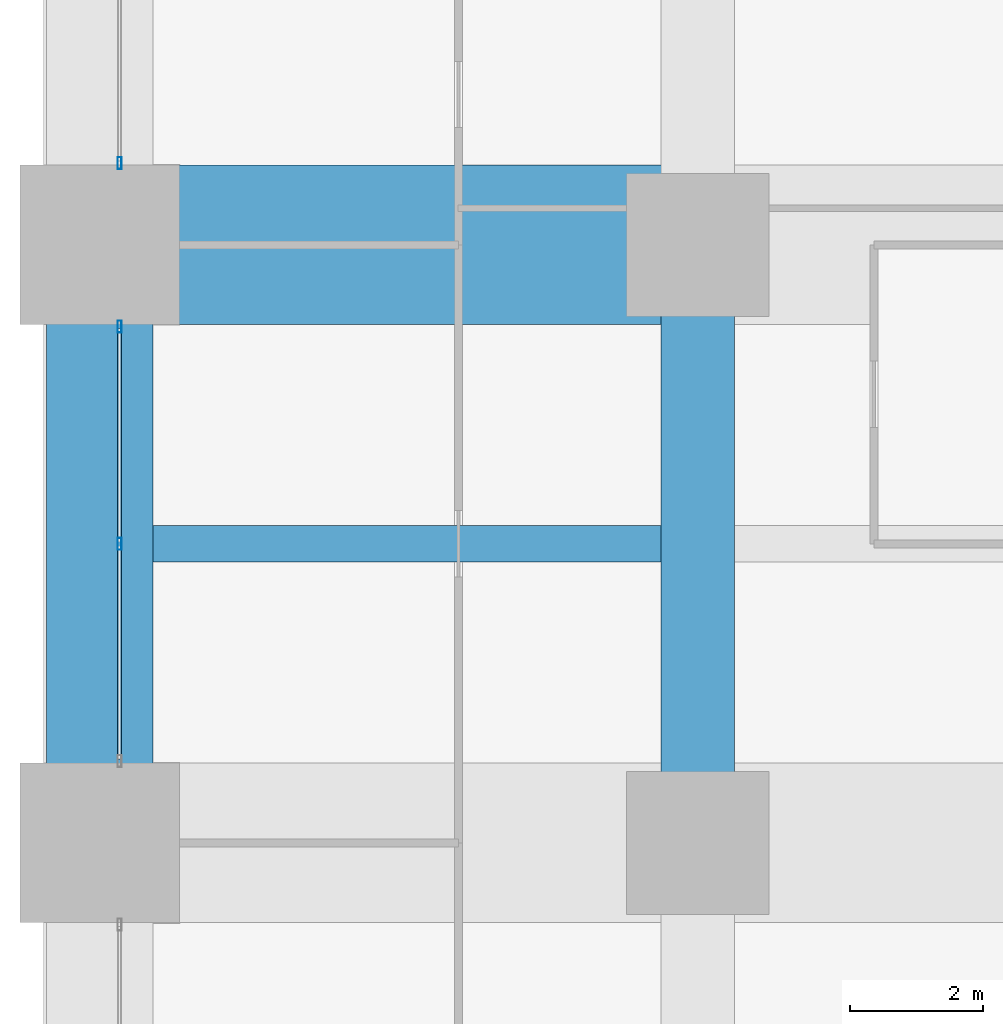
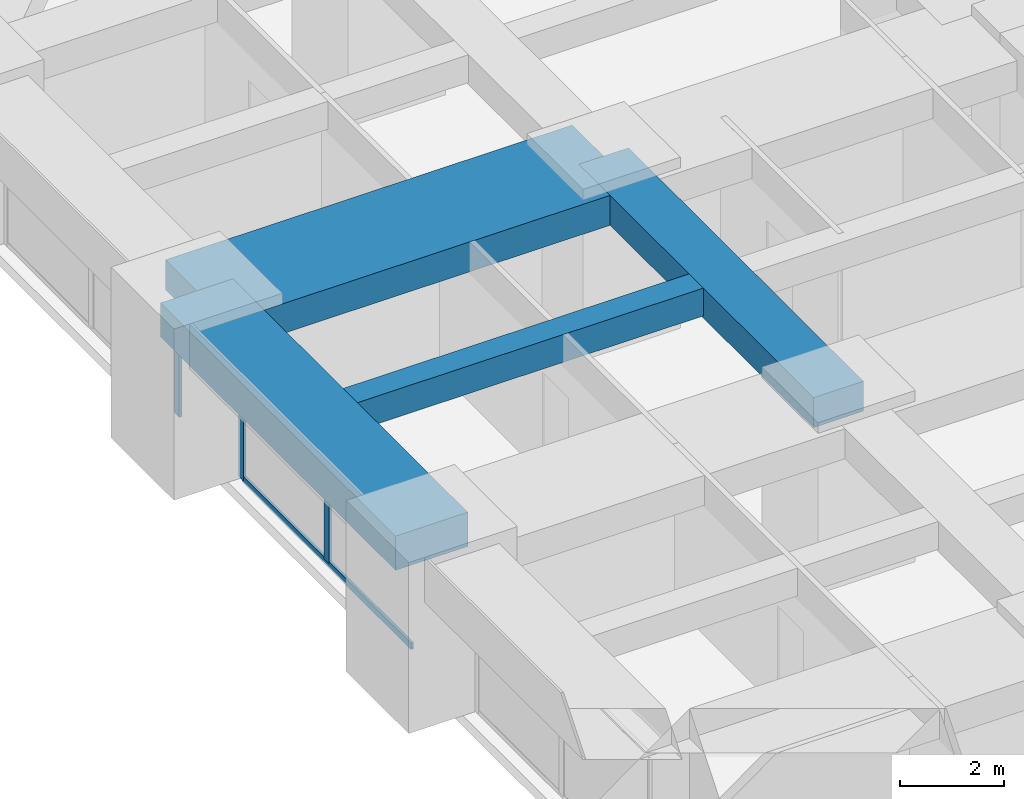
# One storey, part 23 of 45: 4 beams, 4 members, 2 elements without a shape of their own.
"""IFC4 building model written with IfcOpenShell, lengths in metres."""

import ifcopenshell
import ifcopenshell.guid

model = None  # the IFC model being written
_history = None  # IfcOwnerHistory: only IFC2X3 demands one
_inside = {}  # id of a spatial element -> (the spatial element, [elements in it])
_under = {}  # id of a project, library or spatial element -> (it, [spatial elements below it])
_declared = {}  # id of a project -> (the project, [libraries it declares])
_typed = {}  # id of a type object -> (the type object, [elements of that type])
_made_of = {}  # id of a material, layer set ... -> (it, [elements and type objects made of it])


def new_model(schema):
    """Start an empty IFC model of exactly this schema.

    Asked for "IFC4X3", IfcOpenShell would pick the latest addendum, in which some entities
    have other attributes; the version numbers below select the first issue.
    IFC2X3 requires an IfcOwnerHistory on every rooted entity: one is made here for all.
    """
    global model, _history
    if schema == "IFC4X3":
        model = ifcopenshell.file(schema_version=(4, 3, 0, 0))
    else:
        model = ifcopenshell.file(schema=schema)
    _inside.clear()
    _under.clear()
    _declared.clear()
    _typed.clear()
    _made_of.clear()
    _history = None
    if model.schema == "IFC2X3":
        org = make("IfcOrganization", Name="unknown")
        user = make(
            "IfcPersonAndOrganization",
            ThePerson=make("IfcPerson", FamilyName="unknown"),
            TheOrganization=org,
        )
        app = make(
            "IfcApplication",
            ApplicationDeveloper=org,
            Version="unknown",
            ApplicationFullName="unknown",
            ApplicationIdentifier="unknown",
        )
        _history = make(
            "IfcOwnerHistory",
            OwningUser=user,
            OwningApplication=app,
            ChangeAction="ADDED",
            CreationDate=0,
        )
    return model


def make(cls, **values):
    """One entity of the class cls with the attributes given. An attribute that is None is left unset."""
    return model.create_entity(
        cls, **{name: value for name, value in values.items() if value is not None}
    )


def rooted(cls, **values):
    """An entity with a GlobalId (a new one), such as an element, a storey or a relation."""
    return make(cls, GlobalId=ifcopenshell.guid.new(), OwnerHistory=_history, **values)


def si_unit(unit_type, name, prefix=None):
    """IfcSIUnit, for example si_unit("LENGTHUNIT", "METRE", prefix="MILLI")."""
    return make("IfcSIUnit", UnitType=unit_type, Prefix=prefix, Name=name)


def assignment(units):
    """IfcUnitAssignment: the units of a project."""
    return None if units is None else make("IfcUnitAssignment", Units=units)


def point(xyz):
    """IfcCartesianPoint."""
    return None if xyz is None else make("IfcCartesianPoint", Coordinates=xyz)


def direction(xyz):
    """IfcDirection."""
    return None if xyz is None else make("IfcDirection", DirectionRatios=xyz)


def frame(location, z_axis=None, x_axis=None):
    """IfcAxis2Placement3D, a coordinate frame: its origin and axes. An axis left out is left unset."""
    return make(
        "IfcAxis2Placement3D",
        Location=point(location),
        Axis=direction(z_axis),
        RefDirection=direction(x_axis),
    )


def frame_2d(location, x_axis=None):
    """IfcAxis2Placement2D, a coordinate frame in the plane: its origin and x axis."""
    return make(
        "IfcAxis2Placement2D", Location=point(location), RefDirection=direction(x_axis)
    )


def origin():
    """The frame at (0, 0, 0) with its axes left unset."""
    return frame((0.0, 0.0, 0.0))


def origin_2d():
    """The frame at (0, 0) in the plane with its x axis left unset."""
    return frame_2d((0.0, 0.0))


def place(relative_to, where):
    """IfcLocalPlacement: puts the frame where relative to a parent placement (None: the world)."""
    return make(
        "IfcLocalPlacement", PlacementRelTo=relative_to, RelativePlacement=where
    )


def context(
    kind, dimensions, precision=None, world=None, true_north=None, identifier=None
):
    """IfcGeometricRepresentationContext, for example the 3D "Model" context."""
    return make(
        "IfcGeometricRepresentationContext",
        ContextIdentifier=identifier,
        ContextType=kind,
        CoordinateSpaceDimension=dimensions,
        Precision=precision,
        WorldCoordinateSystem=world,
        TrueNorth=true_north,
    )


def subcontext(parent, identifier, kind, view, scale=None):
    """IfcGeometricRepresentationSubContext, for example "Body" below "Model"."""
    return make(
        "IfcGeometricRepresentationSubContext",
        ContextIdentifier=identifier,
        ContextType=kind,
        ParentContext=parent,
        TargetScale=scale,
        TargetView=view,
    )


def project(units=None, contexts=None):
    """IfcProject with its units and contexts."""
    return rooted(
        "IfcProject",
        Name="project",
        RepresentationContexts=contexts,
        UnitsInContext=assignment(units),
    )


def spatial(cls, under=None, at=None, **own):
    """A site, building, storey or space (cls), placed at a placement, below another one or the project."""
    s = rooted(cls, ObjectPlacement=at, **own)
    if under is not None:
        _under.setdefault(under.id(), (under, []))[1].append(s)
    return s


def profile(cls, at=None, kind="AREA", **sizes):
    """A parametric profile (cls). Its sizes go by their IFC names, for example OverallWidth=200.0."""
    return make(cls, ProfileType=kind, Position=at, **sizes)


def rectangle(**sizes):
    """IfcRectangleProfileDef."""
    return profile("IfcRectangleProfileDef", **sizes)


def hollow_rectangle(**sizes):
    """IfcRectangleHollowProfileDef."""
    return profile("IfcRectangleHollowProfileDef", **sizes)


def extrude(swept, where, along, depth):
    """IfcExtrudedAreaSolid: the profile swept, set in the frame where, extruded along a direction by depth."""
    return make(
        "IfcExtrudedAreaSolid",
        SweptArea=swept,
        Position=where,
        ExtrudedDirection=direction(along),
        Depth=depth,
    )


def shape(context_of_items, identifier, shape_type, items):
    """IfcShapeRepresentation: the items that make up one representation, for example the "Body"."""
    return make(
        "IfcShapeRepresentation",
        ContextOfItems=context_of_items,
        RepresentationIdentifier=identifier,
        RepresentationType=shape_type,
        Items=items,
    )


def material(Name=None, Category=None):
    """IfcMaterial."""
    return make("IfcMaterial", Name=Name, Category=Category)


def material_profile(
    of_material, cross_section, Name=None, Category=None, Priority=None
):
    """IfcMaterialProfile: a cross section and its material."""
    return make(
        "IfcMaterialProfile",
        Name=Name,
        Material=of_material,
        Profile=cross_section,
        Priority=Priority,
        Category=Category,
    )


def profile_set(profiles, Name=None, composite=None):
    """IfcMaterialProfileSet."""
    return make(
        "IfcMaterialProfileSet",
        Name=Name,
        MaterialProfiles=profiles,
        CompositeProfile=composite,
    )


def made_of(thing, what):
    """Note that an element or type object is made of a material, layer set ...; save() writes the relation."""
    if what is not None:
        _made_of.setdefault(what.id(), (what, []))[1].append(thing)
    return thing


def type_object(cls, material=None, **own):
    """A type object (cls), such as IfcWallType, which elements share."""
    return made_of(rooted(cls, **own), material)


def element(
    cls,
    number,
    at=None,
    inside=None,
    cuts=None,
    type_object=None,
    material=None,
    context=None,
    identifier="Body",
    shape_type=None,
    held_by="IfcProductDefinitionShape",
    body=None,
    shapes=None,
    **own,
):
    """One element of the class cls, such as IfcWall. Its Tag is "e" and its number.

    at: its placement. inside: the storey or other place that contains it. cuts: it is an
    opening in that element (IfcRelVoidsElement). A single representation is given by context,
    identifier, shape_type and body (its items); several are given by shapes. held_by: the class
    of the entity that holds the representations. save() writes the other relations.
    """
    e = rooted(cls, Tag="e%d" % number, ObjectPlacement=at, **own)
    if body is not None:
        shapes = [shape(context, identifier, shape_type, body)]
    if shapes is not None:
        e.Representation = make(held_by, Representations=shapes)
    if inside is not None:
        _inside.setdefault(inside.id(), (inside, []))[1].append(e)
    if cuts is not None:
        rooted(
            "IfcRelVoidsElement", RelatingBuildingElement=cuts, RelatedOpeningElement=e
        )
    if type_object is not None:
        _typed.setdefault(type_object.id(), (type_object, []))[1].append(e)
    return made_of(e, material)


def aggregate(whole, parts):
    """IfcRelAggregates: a whole, such as a stair, and the parts it consists of."""
    return rooted("IfcRelAggregates", RelatingObject=whole, RelatedObjects=parts)


def save(model, path):
    """Write the relations noted so far, then the file.

    IfcRelAggregates (storeys below a building ...), IfcRelContainedInSpatialStructure (elements
    in a storey), IfcRelDefinesByType, IfcRelAssociatesMaterial and IfcRelDeclares: one each for
    every whole, place, type object, material and project.
    """
    for whole, parts in _under.values():
        aggregate(whole, parts)
    for where, things in _inside.values():
        rooted(
            "IfcRelContainedInSpatialStructure",
            RelatedElements=things,
            RelatingStructure=where,
        )
    for kind, things in _typed.values():
        rooted("IfcRelDefinesByType", RelatedObjects=things, RelatingType=kind)
    for what, things in _made_of.values():
        rooted("IfcRelAssociatesMaterial", RelatedObjects=things, RelatingMaterial=what)
    for by, libraries in _declared.values():
        rooted("IfcRelDeclares", RelatingContext=by, RelatedDefinitions=libraries)
    model.write(path)


model = new_model("IFC4")

# Units and contexts
model_context = context("Model", 3, precision=1e-05, world=origin(), true_north=direction((0.0, 1.0)))
body_context = subcontext(model_context, "Body", "Model", "MODEL_VIEW")
ifc_project = project(units=[si_unit("LENGTHUNIT", "METRE"), si_unit("AREAUNIT", "SQUARE_METRE"), si_unit("VOLUMEUNIT", "CUBIC_METRE"), si_unit("PLANEANGLEUNIT", "RADIAN"), si_unit("MASSUNIT", "GRAM", prefix="KILO")], contexts=[model_context])

# Site, building, storey
site_placement = place(None, origin())
site = spatial("IfcSite", under=ifc_project, at=site_placement, CompositionType="ELEMENT")
building_placement = place(site_placement, origin())
building = spatial("IfcBuilding", under=site, at=building_placement, Name="Zorevar Civic Tower", CompositionType="ELEMENT")
storey_placement = place(building_placement, frame((0.0, 0.0, 71.800048828125)))
storey = spatial("IfcBuildingStorey", under=building, at=storey_placement, Name="L17", CompositionType="ELEMENT", Elevation=71.800048828125)

# Beams
ifc_material_1 = material(Name="Concrete C50/60", Category="concrete")
ifc_material_profile_1 = material_profile(ifc_material_1, rectangle(XDim=1.10009765625, YDim=0.699951171875, at=origin_2d()), Name="RC 1100x700")
ifc_profile_set_1 = profile_set([ifc_material_profile_1], Name="Concrete C50/60")
beam_type_1 = type_object("IfcBeamType", Name="Beam RC 1100x700", PredefinedType="BEAM", material=ifc_profile_set_1)
beam_1_placement = place(storey_placement, frame((9.0, 27.0, 3.39990234375), z_axis=(0.0, 1.0, 0.0), x_axis=(-1.0, 0.0, 0.0)))
element("IfcBeam", 1, at=beam_1_placement, inside=storey, type_object=beam_type_1, Name="Girder L18", PredefinedType="BEAM", context=body_context, shape_type="SweptSolid", body=[
    extrude(rectangle(XDim=1.10009765625, YDim=0.699951171875, at=origin_2d()), origin(), (0.0, 0.0, 1.0), 9.0),
])
ifc_material_2 = material(Name="Concrete C50/60", Category="concrete")
ifc_material_profile_2 = material_profile(ifc_material_2, rectangle(XDim=2.39990234375, YDim=0.699951171875, at=origin_2d()), Name="RC 2400x700")
ifc_profile_set_2 = profile_set([ifc_material_profile_2], Name="Concrete C50/60")
beam_type_2 = type_object("IfcBeamType", Name="Beam RC 2400x700", PredefinedType="BEAM", material=ifc_profile_set_2)
beam_2_placement = place(storey_placement, frame((0.0, 36.0, 3.39990234375), z_axis=(1.0, 0.0, 0.0), x_axis=(0.0, 1.0, 0.0)))
element("IfcBeam", 2, at=beam_2_placement, inside=storey, type_object=beam_type_2, Name="Girder L18", PredefinedType="BEAM", context=body_context, shape_type="SweptSolid", body=[
    extrude(rectangle(XDim=2.39990234375, YDim=0.699951171875, at=origin_2d()), origin(), (0.0, 0.0, 1.0), 9.0),
])
ifc_material_3 = material(Name="Concrete C50/60", Category="concrete")
ifc_material_profile_3 = material_profile(ifc_material_3, rectangle(XDim=0.550048828125, YDim=0.64990234375, at=origin_2d()), Name="RC 550x650")
ifc_profile_set_3 = profile_set([ifc_material_profile_3], Name="Concrete C50/60")
beam_type_3 = type_object("IfcBeamType", Name="Beam RC 550x650", PredefinedType="BEAM", material=ifc_profile_set_3)
beam_3_placement = place(storey_placement, frame((0.800048828125, 31.5, 3.425048828125), z_axis=(1.0, 0.0, 0.0), x_axis=(0.0, 1.0, 0.0)))
element("IfcBeam", 3, at=beam_3_placement, inside=storey, type_object=beam_type_3, Name="Secondary beam L18", PredefinedType="BEAM", context=body_context, shape_type="SweptSolid", body=[
    extrude(rectangle(XDim=0.550048828125, YDim=0.64990234375, at=origin_2d()), origin(), (0.0, 0.0, 1.0), 7.64990234375),
])

# Curtain wall, members
ifc_material_4 = material(Name="Dark grey solar-control glass in black aluminium frame", Category="aluminium")
curtain_wall_type = type_object("IfcCurtainWallType", Name="Curtain wall CW2 low zone", PredefinedType="NOTDEFINED", material=ifc_material_4)
curtain_wall_1_placement = place(storey_placement, origin())
curtain_wall_1 = element("IfcCurtainWall", 4, at=curtain_wall_1_placement, inside=storey, type_object=curtain_wall_type, Name="CW2 L17", PredefinedType="NOTDEFINED")
ifc_material_5 = material(Name="Aluminium, black anodised", Category="aluminium")
ifc_material_profile_4 = material_profile(ifc_material_5, hollow_rectangle(XDim=0.06005859375, YDim=0.179931640625, WallThickness=0.00390625, at=origin_2d()), Name="AL 180x60x4")
ifc_profile_set_4 = profile_set([ifc_material_profile_4], Name="Aluminium, black anodised")
member_type_1 = type_object("IfcMemberType", Name="CW2 mullion AL 180x60x4", PredefinedType="MULLION", material=ifc_profile_set_4)
member_1_placement = place(storey_placement, frame((0.300048828125, 31.5, 0.06005859375), z_axis=(0.0, 0.0, 1.0), x_axis=(-1.0, 0.0, 0.0)))
member_1 = element("IfcMember", 5, at=member_1_placement, type_object=member_type_1, Name="CW2 mullion 2", PredefinedType="MULLION", context=body_context, shape_type="SweptSolid", body=[
    extrude(hollow_rectangle(XDim=0.06005859375, YDim=0.179931640625, WallThickness=0.00390625, at=origin_2d()), origin(), (0.0, 0.0, 1.0), 2.889892578125),
])
member_2_placement = place(storey_placement, frame((0.300048828125, 34.77001953125, 0.0), z_axis=(0.0, 0.0, 1.0), x_axis=(-1.0, 0.0, 0.0)))
member_2 = element("IfcMember", 6, at=member_2_placement, type_object=member_type_1, Name="CW2 mullion 3", PredefinedType="MULLION", context=body_context, shape_type="SweptSolid", body=[
    extrude(hollow_rectangle(XDim=0.06005859375, YDim=0.179931640625, WallThickness=0.00390625, at=origin_2d()), origin(), (0.0, 0.0, 1.0), 2.949951171875),
])

# Curtain wall, member
curtain_wall_2_placement = place(storey_placement, origin())
curtain_wall_2 = element("IfcCurtainWall", 7, at=curtain_wall_2_placement, inside=storey, type_object=curtain_wall_type, Name="CW2 L17", PredefinedType="NOTDEFINED")
member_3_placement = place(storey_placement, frame((0.300048828125, 37.22998046875, 0.0), z_axis=(0.0, 0.0, 1.0), x_axis=(-1.0, 0.0, 0.0)))
member_3 = element("IfcMember", 8, at=member_3_placement, type_object=member_type_1, Name="CW2 mullion 1", PredefinedType="MULLION", context=body_context, shape_type="SweptSolid", body=[
    extrude(hollow_rectangle(XDim=0.06005859375, YDim=0.179931640625, WallThickness=0.00390625, at=origin_2d()), origin(), (0.0, 0.0, 1.0), 2.949951171875),
])
aggregate(curtain_wall_2, [member_3])

# Member
ifc_material_6 = material(Name="Aluminium, black anodised", Category="aluminium")
ifc_material_profile_5 = material_profile(ifc_material_6, hollow_rectangle(XDim=0.06005859375, YDim=0.14990234375, WallThickness=0.00390625, at=origin_2d()), Name="AL 150x60x4")
ifc_profile_set_5 = profile_set([ifc_material_profile_5], Name="Aluminium, black anodised")
member_type_2 = type_object("IfcMemberType", Name="CW2 transom AL 150x60x4", PredefinedType="USERDEFINED", material=ifc_profile_set_5)
member_4_placement = place(storey_placement, frame((0.300048828125, 28.260009765625, 0.030029296875), z_axis=(0.0, 1.0, 0.0), x_axis=(-1.0, 0.0, 0.0)))
member_4 = element("IfcMember", 9, at=member_4_placement, type_object=member_type_2, Name="CW2 sill transom", ObjectType="TRANSOM", PredefinedType="USERDEFINED", context=body_context, shape_type="SweptSolid", body=[
    extrude(hollow_rectangle(XDim=0.06005859375, YDim=0.14990234375, WallThickness=0.00390625, at=origin_2d()), origin(), (0.0, 0.0, 1.0), 6.47998046875),
])

aggregate(curtain_wall_1, [member_1, member_2, member_4])

# Beam
ifc_material_7 = material(Name="Concrete C50/60", Category="concrete")
ifc_material_profile_6 = material_profile(ifc_material_7, rectangle(XDim=1.60009765625, YDim=0.800048828125, at=origin_2d()), Name="RC 1600x800")
ifc_profile_set_6 = profile_set([ifc_material_profile_6], Name="Concrete C50/60")
beam_type_4 = type_object("IfcBeamType", Name="Edge beam RC 1600x800", PredefinedType="SPANDREL", material=ifc_profile_set_6)
beam_4_placement = place(storey_placement, frame((0.0, 27.0, 3.349853515625), z_axis=(0.0, 1.0, 0.0), x_axis=(-1.0, 0.0, 0.0)))
element("IfcBeam", 10, at=beam_4_placement, inside=storey, type_object=beam_type_4, Name="Edge beam L18", PredefinedType="SPANDREL", context=body_context, shape_type="SweptSolid", body=[
    extrude(rectangle(XDim=1.60009765625, YDim=0.800048828125, at=origin_2d()), origin(), (0.0, 0.0, 1.0), 9.0),
])

save(model, "model.ifc")
